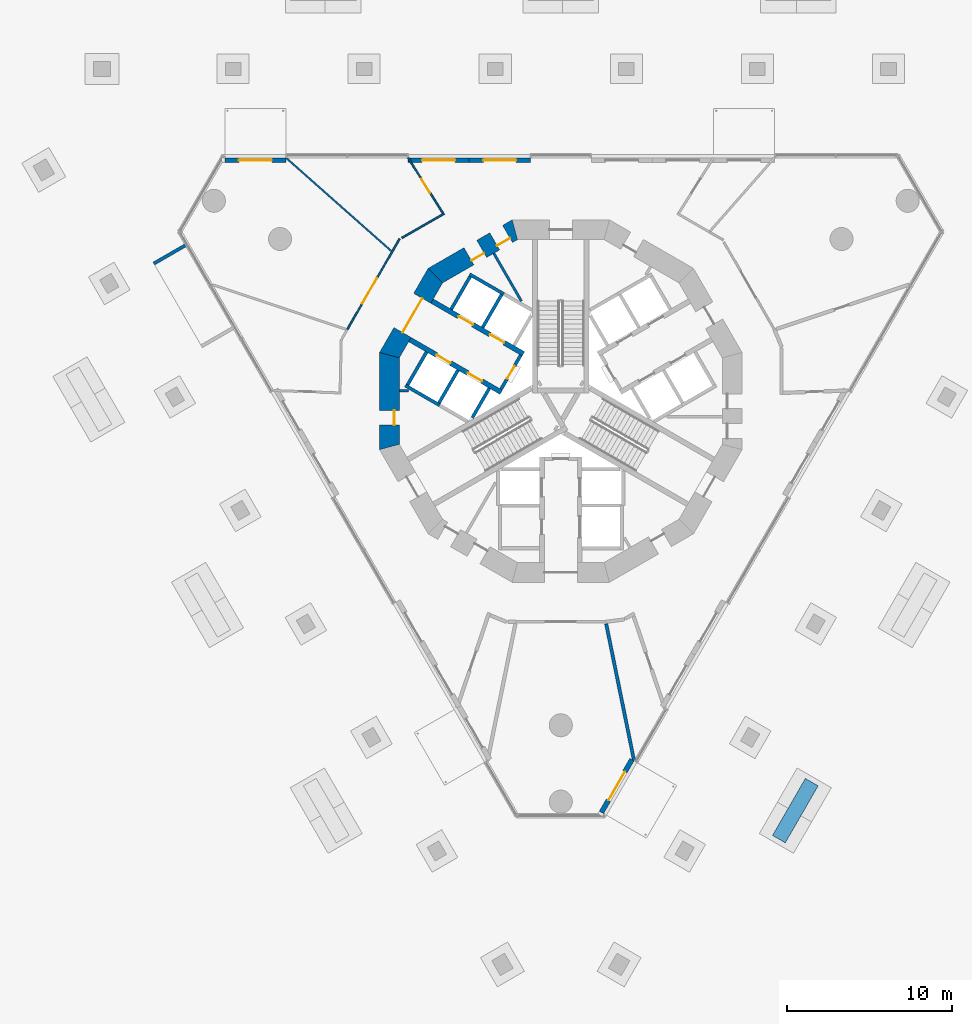
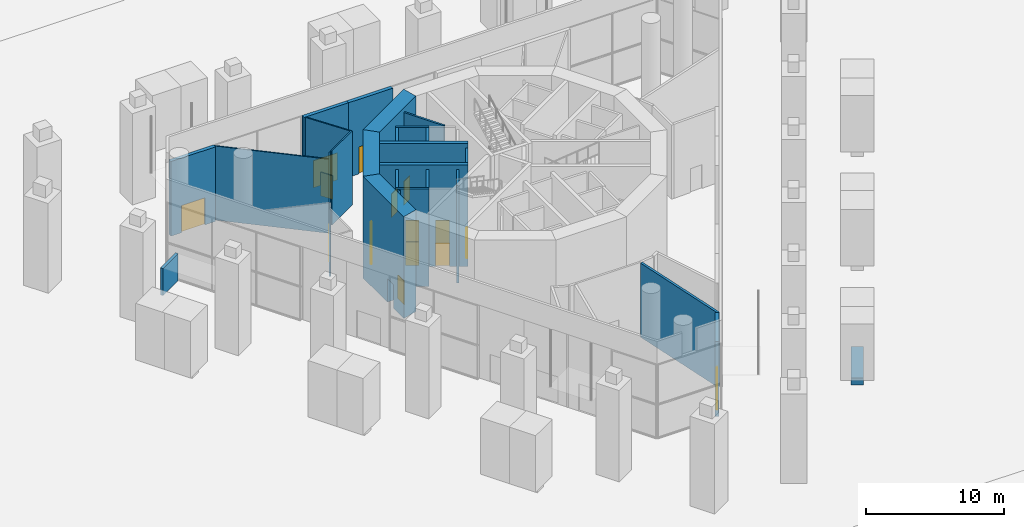
# One storey, part 7 of 26: 26 walls, 15 doors, 15 openings.
"""IFC4 building model written with IfcOpenShell, lengths in metres."""

from ifc_helpers import new_model, si_unit, direction, frame, frame_2d, origin, place, context, subcontext, project, spatial, polyline, rectangle, outline, extrude, material, layer, layer_set, type_object, element, fill, save


model = new_model("IFC4")

# Units and contexts
model_context = context("Model", 3, precision=1e-05, world=origin(), true_north=direction((0.0, 1.0)))
body_context = subcontext(model_context, "Body", "Model", "MODEL_VIEW")
ifc_project = project(units=[si_unit("LENGTHUNIT", "METRE"), si_unit("AREAUNIT", "SQUARE_METRE"), si_unit("VOLUMEUNIT", "CUBIC_METRE"), si_unit("PLANEANGLEUNIT", "RADIAN"), si_unit("MASSUNIT", "GRAM", prefix="KILO")], contexts=[model_context])

# Site, building, storey
site_placement = place(None, origin())
site = spatial("IfcSite", under=ifc_project, at=site_placement, CompositionType="ELEMENT")
building_placement = place(site_placement, origin())
building = spatial("IfcBuilding", under=site, at=building_placement, Name="Trine Commons Tower", CompositionType="ELEMENT")
storey_placement = place(building_placement, origin())
storey = spatial("IfcBuildingStorey", under=building, at=storey_placement, Name="L00", CompositionType="ELEMENT", Elevation=0.0)

# Walls
ifc_material_1 = material(Name="Plasterboard partition on steel studs", Category="steel")
ifc_layer_1 = layer(ifc_material_1, 0.14990234375)
ifc_layer_set_1 = layer_set([ifc_layer_1], Name="Plasterboard partition on steel studs")
wall_type_1 = type_object("IfcWallType", Name="Core room partition 150 mm, EI 60", PredefinedType="PARTITIONING", material=ifc_layer_set_1)
wall_1_placement = place(storey_placement, frame((70.18798828125, 63.14208984375, 0.0), z_axis=(0.0, 0.0, 1.0), x_axis=(1.0, 0.0, 0.0)))
element("IfcWall", 1, at=wall_1_placement, inside=storey, type_object=wall_type_1, Name="Core room partition L00", PredefinedType="PARTITIONING", context=body_context, shape_type="SweptSolid", body=[
    extrude(rectangle(XDim=0.571044921875, YDim=0.14990234375, at=frame_2d((0.28564453125, 0.0))), origin(), (0.0, 0.0, 1.0), 8.60009765625),
])
wall_2_placement = place(storey_placement, frame((75.928955078125, 71.47900390625, 0.0), z_axis=(0.0, 0.0, 1.0), x_axis=(0.499985139611, -0.866033983264, 0.0)))
element("IfcWall", 2, at=wall_2_placement, inside=storey, type_object=wall_type_1, Name="Core room partition L00", PredefinedType="PARTITIONING", context=body_context, shape_type="SweptSolid", body=[
    extrude(rectangle(XDim=3.35205078125, YDim=0.14990234375, at=frame_2d((1.676025390625, 0.0))), origin(), (0.0, 0.0, 1.0), 8.60009765625),
])
ifc_material_2 = material(Name="Perforated precast concrete C40/50", Category="concrete")
ifc_layer_2 = layer(ifc_material_2, 0.199951171875)
ifc_layer_set_2 = layer_set([ifc_layer_2], Name="Perforated precast concrete C40/50")
wall_type_2 = type_object("IfcWallType", Name="Cycle shelter screen wall 200", PredefinedType="SOLIDWALL", material=ifc_layer_set_2)
wall_3_placement = place(storey_placement, frame((57.179443359375, 71.95703125, 0.0), z_axis=(0.0, 0.0, 1.0), x_axis=(-0.86605622881, -0.499946605688, 0.0)))
element("IfcWall", 3, at=wall_3_placement, inside=storey, type_object=wall_type_2, Name="Cycle shelter 1 screen 2", PredefinedType="SOLIDWALL", context=body_context, shape_type="SweptSolid", body=[
    extrude(rectangle(XDim=2.199951171875, YDim=0.199951171875, at=frame_2d((1.10009765625, 0.0))), origin(), (0.0, 0.0, 1.0), 2.39990234375),
])

# Wall, opening, door
ifc_material_3 = material(Name="Stone-clad concrete C40/50", Category="masonry")
ifc_layer_3 = layer(ifc_material_3, 0.300048828125)
ifc_layer_set_3 = layer_set([ifc_layer_3], Name="Stone-clad concrete C40/50")
wall_type_3 = type_object("IfcWallType", Name="Entrance portal wall 300 mm, stone-clad concrete", PredefinedType="SOLIDWALL", material=ifc_layer_set_3)
wall_4_placement = place(storey_placement, frame((70.72216796875, 77.134521484375, 0.0), z_axis=(0.0, 0.0, 1.0), x_axis=(1.0, 0.0, 0.0)))
wall_4 = element("IfcWall", 4, at=wall_4_placement, inside=storey, type_object=wall_type_3, Name="Entrance portal X1", PredefinedType="SOLIDWALL", context=body_context, shape_type="SweptSolid", body=[
    extrude(rectangle(XDim=3.711181640625, YDim=0.300048828125, at=frame_2d((1.85546875, 0.0))), origin(), (0.0, 0.0, 1.0), 6.60009765625),
])
opening_1_placement = place(wall_4_placement, frame((0.855712890625, 0.0, 0.0)))
opening_1 = element("IfcOpeningElement", 5, at=opening_1_placement, cuts=wall_4, Name="Opening D-G0X1", PredefinedType="OPENING", context=body_context, shape_type="SweptSolid", body=[
    extrude(rectangle(XDim=2.0, YDim=2.39990234375, at=frame_2d((1.0, 1.199951171875))), frame((0.0, 0.159912109375, 0.0), z_axis=(0.0, -1.0, 0.0), x_axis=(1.0, 0.0, 0.0)), (0.0, 0.0, 1.0), 0.320068359375),
])
ifc_material_4 = material(Name="Painted timber", Category="wood")
door_type_1 = type_object("IfcDoorType", Name="Double swing door 2000x2400, not rated", OperationType="DOUBLE_DOOR_DOUBLE_SWING", PredefinedType="DOOR", material=ifc_material_4)
door_1_placement = place(opening_1_placement, origin())
door_1 = element("IfcDoor", 6, at=door_1_placement, inside=storey, type_object=door_type_1, Name="Door D-G0X1", OperationType="DOUBLE_DOOR_DOUBLE_SWING", OverallHeight=2.39990234375, OverallWidth=2.0, PredefinedType="DOOR", context=body_context, shape_type="SweptSolid", body=[
    extrude(rectangle(XDim=2.0, YDim=2.39990234375, at=frame_2d((1.0, 1.199951171875))), frame((0.0, 0.02490234375, 0.0), z_axis=(0.0, -1.0, 0.0), x_axis=(1.0, 0.0, 0.0)), (0.0, 0.0, 1.0), 0.050048828125),
])
fill(opening_1, door_1)

wall_5_placement = place(storey_placement, frame((74.433349609375, 77.134521484375, 0.0), z_axis=(0.0, 0.0, 1.0), x_axis=(1.0, 0.0, 0.0)))
wall_5 = element("IfcWall", 7, at=wall_5_placement, inside=storey, type_object=wall_type_3, Name="Entrance portal X2", PredefinedType="SOLIDWALL", context=body_context, shape_type="SweptSolid", body=[
    extrude(rectangle(XDim=3.711181640625, YDim=0.300048828125, at=frame_2d((1.85546875, 0.0))), origin(), (0.0, 0.0, 1.0), 6.60009765625),
])
opening_2_placement = place(wall_5_placement, frame((0.855712890625, 0.0, 0.0)))
opening_2 = element("IfcOpeningElement", 8, at=opening_2_placement, cuts=wall_5, Name="Opening D-G0X2", PredefinedType="OPENING", context=body_context, shape_type="SweptSolid", body=[
    extrude(rectangle(XDim=2.0, YDim=2.39990234375, at=frame_2d((1.0, 1.199951171875))), frame((0.0, 0.159912109375, 0.0), z_axis=(0.0, -1.0, 0.0), x_axis=(1.0, 0.0, 0.0)), (0.0, 0.0, 1.0), 0.320068359375),
])
door_2_placement = place(opening_2_placement, origin())
door_2 = element("IfcDoor", 9, at=door_2_placement, inside=storey, type_object=door_type_1, Name="Door D-G0X2", OperationType="DOUBLE_DOOR_DOUBLE_SWING", OverallHeight=2.39990234375, OverallWidth=2.0, PredefinedType="DOOR", context=body_context, shape_type="SweptSolid", body=[
    extrude(rectangle(XDim=2.0, YDim=2.39990234375, at=frame_2d((1.0, 1.199951171875))), frame((0.0, 0.02490234375, 0.0), z_axis=(0.0, -1.0, 0.0), x_axis=(1.0, 0.0, 0.0)), (0.0, 0.0, 1.0), 0.050048828125),
])
fill(opening_2, door_2)

wall_6_placement = place(storey_placement, frame((84.32373046875, 40.7197265625, 0.0), z_axis=(0.0, 0.0, 1.0), x_axis=(-0.499959725045, -0.866048655292, 0.0)))
wall_6 = element("IfcWall", 10, at=wall_6_placement, inside=storey, type_object=wall_type_3, Name="Entrance portal E2", PredefinedType="SOLIDWALL", context=body_context, shape_type="SweptSolid", body=[
    extrude(rectangle(XDim=3.711181640625, YDim=0.300048828125, at=frame_2d((1.85546875, 0.0))), origin(), (0.0, 0.0, 1.0), 6.60009765625),
])
opening_3_placement = place(wall_6_placement, frame((0.855712890625, 0.0, 0.0)))
opening_3 = element("IfcOpeningElement", 11, at=opening_3_placement, cuts=wall_6, Name="Opening D-G0E2", PredefinedType="OPENING", context=body_context, shape_type="SweptSolid", body=[
    extrude(rectangle(XDim=2.0, YDim=2.39990234375, at=frame_2d((1.0, 1.199951171875))), frame((0.0, 0.159912109375, 0.0), z_axis=(0.0, -1.0, 0.0), x_axis=(1.0, 0.0, 0.0)), (0.0, 0.0, 1.0), 0.320068359375),
])
door_3_placement = place(opening_3_placement, origin())
door_3 = element("IfcDoor", 12, at=door_3_placement, inside=storey, type_object=door_type_1, Name="Door D-G0E2", OperationType="DOUBLE_DOOR_DOUBLE_SWING", OverallHeight=2.39990234375, OverallWidth=2.0, PredefinedType="DOOR", context=body_context, shape_type="SweptSolid", body=[
    extrude(rectangle(XDim=2.0, YDim=2.39990234375, at=frame_2d((1.0, 1.199951171875))), frame((0.0, 0.02490234375, 0.0), z_axis=(0.0, -1.0, 0.0), x_axis=(1.0, 0.0, 0.0)), (0.0, 0.0, 1.0), 0.050048828125),
])
fill(opening_3, door_3)

wall_7_placement = place(storey_placement, frame((59.58837890625, 77.134521484375, 0.0), z_axis=(0.0, 0.0, 1.0), x_axis=(1.0, 0.0, 0.0)))
wall_7 = element("IfcWall", 13, at=wall_7_placement, inside=storey, type_object=wall_type_3, Name="Entrance portal E4", PredefinedType="SOLIDWALL", context=body_context, shape_type="SweptSolid", body=[
    extrude(rectangle(XDim=3.71142578125, YDim=0.300048828125, at=frame_2d((1.855712890625, 0.0))), origin(), (0.0, 0.0, 1.0), 6.60009765625),
])
opening_4_placement = place(wall_7_placement, frame((0.855712890625, 0.0, 0.0)))
opening_4 = element("IfcOpeningElement", 14, at=opening_4_placement, cuts=wall_7, Name="Opening D-G0E4", PredefinedType="OPENING", context=body_context, shape_type="SweptSolid", body=[
    extrude(rectangle(XDim=2.0, YDim=2.39990234375, at=frame_2d((1.0, 1.199951171875))), frame((0.0, 0.159912109375, 0.0), z_axis=(0.0, -1.0, 0.0), x_axis=(1.0, 0.0, 0.0)), (0.0, 0.0, 1.0), 0.320068359375),
])
door_4_placement = place(opening_4_placement, origin())
door_4 = element("IfcDoor", 15, at=door_4_placement, inside=storey, type_object=door_type_1, Name="Door D-G0E4", OperationType="DOUBLE_DOOR_DOUBLE_SWING", OverallHeight=2.39990234375, OverallWidth=2.0, PredefinedType="DOOR", context=body_context, shape_type="SweptSolid", body=[
    extrude(rectangle(XDim=2.0, YDim=2.39990234375, at=frame_2d((1.0, 1.199951171875))), frame((0.0, 0.02490234375, 0.0), z_axis=(0.0, -1.0, 0.0), x_axis=(1.0, 0.0, 0.0)), (0.0, 0.0, 1.0), 0.050048828125),
])
fill(opening_4, door_4)

# Wall
ifc_material_5 = material(Name="Plasterboard on steel stud", Category="steel")
ifc_layer_4 = layer(ifc_material_5, 0.199951171875)
ifc_layer_set_4 = layer_set([ifc_layer_4], Name="Plasterboard on steel stud")
wall_type_4 = type_object("IfcWallType", Name="Fire wall 200 mm, EI 120", PredefinedType="PARTITIONING", material=ifc_layer_set_4)
wall_8_placement = place(storey_placement, frame((82.75732421875, 48.968505859375, 0.0), z_axis=(0.0, 0.0, 1.0), x_axis=(0.199685222103, -0.979860098215, 0.0)))
element("IfcWall", 16, at=wall_8_placement, inside=storey, type_object=wall_type_4, Name="Partition G0015", PredefinedType="PARTITIONING", context=body_context, shape_type="SweptSolid", body=[
    extrude(rectangle(XDim=8.494873046875, YDim=0.199951171875, at=frame_2d((4.24755859375, 0.0))), origin(), (0.0, 0.0, 1.0), 6.550048828125),
])

# Wall, opening, door
ifc_material_6 = material(Name="Fire-rated gypsum shaft wall system")
ifc_layer_5 = layer(ifc_material_6, 0.199951171875)
ifc_layer_set_5 = layer_set([ifc_layer_5], Name="Fire-rated gypsum shaft wall system")
wall_type_5 = type_object("IfcWallType", Name="Lobby end wall 200 mm, EI 120", PredefinedType="PARTITIONING", material=ifc_layer_set_5)
wall_9_placement = place(storey_placement, frame((77.569091796875, 65.2890625, 0.0), z_axis=(0.0, 0.0, 1.0), x_axis=(-0.50012165622, -0.865955154139, 0.0)))
wall_9 = element("IfcWall", 17, at=wall_9_placement, inside=storey, type_object=wall_type_5, Name="Lobby end wall L00", PredefinedType="PARTITIONING", context=body_context, shape_type="SweptSolid", body=[
    extrude(rectangle(XDim=2.39990234375, YDim=0.199951171875, at=frame_2d((1.199951171875, 0.0))), origin(), (0.0, 0.0, 1.0), 8.60009765625),
])
opening_5_placement = place(wall_9_placement, frame((0.749755859375, 0.0, 0.0)))
opening_5 = element("IfcOpeningElement", 18, at=opening_5_placement, cuts=wall_9, Name="Opening K03.07", PredefinedType="OPENING", context=body_context, shape_type="SweptSolid", body=[
    extrude(rectangle(XDim=0.89990234375, YDim=2.10009765625, at=frame_2d((0.449951171875, 1.050048828125))), frame((0.0, 0.10986328125, 0.0), z_axis=(0.0, -1.0, 0.0), x_axis=(1.0, 0.0, 0.0)), (0.0, 0.0, 1.0), 0.219970703125),
])
ifc_material_7 = material(Name="Steel door leaf, fire-rated", Category="steel")
door_type_2 = type_object("IfcDoorType", Name="Riser access door, single leaf 900 x 2100, FD60", OperationType="SINGLE_SWING_LEFT", PredefinedType="DOOR", material=ifc_material_7)
door_5_placement = place(opening_5_placement, frame((0.89990234375, 0.0, 0.0), z_axis=(0.0, 0.0, 1.0), x_axis=(-1.0, 0.0, 0.0)))
door_5 = element("IfcDoor", 19, at=door_5_placement, inside=storey, type_object=door_type_2, Name="Riser door, Mechanical riser L00", OperationType="SINGLE_SWING_RIGHT", OverallHeight=2.10009765625, OverallWidth=0.89990234375, PredefinedType="DOOR", context=body_context, shape_type="SweptSolid", body=[
    extrude(rectangle(XDim=0.89990234375, YDim=2.10009765625, at=frame_2d((0.449951171875, 1.050048828125))), frame((0.0, 0.02490234375, 0.0), z_axis=(0.0, -1.0, 0.0), x_axis=(1.0, 0.0, 0.0)), (0.0, 0.0, 1.0), 0.050048828125),
])
fill(opening_5, door_5)

# Wall
ifc_layer_6 = layer(ifc_material_5, 0.10009765625)
ifc_layer_set_6 = layer_set([ifc_layer_6], Name="Plasterboard on steel stud")
wall_type_6 = type_object("IfcWallType", Name="Partition wall 100 mm stud, not rated", PredefinedType="PARTITIONING", material=ifc_layer_set_6)
wall_10_placement = place(storey_placement, frame((63.299560546875, 77.28466796875, 0.0), z_axis=(0.0, 0.0, 1.0), x_axis=(0.748745973435, -0.662857048891, 0.0)))
element("IfcWall", 20, at=wall_10_placement, inside=storey, type_object=wall_type_6, Name="Partition G0003", PredefinedType="PARTITIONING", context=body_context, shape_type="SweptSolid", body=[
    extrude(rectangle(XDim=8.555908203125, YDim=0.10009765625, at=frame_2d((4.27783203125, 0.0))), origin(), (0.0, 0.0, 1.0), 6.550048828125),
])

# Wall, opening, door
wall_11_placement = place(storey_placement, frame((70.20703125, 72.361328125, 0.0), z_axis=(0.0, 0.0, 1.0), x_axis=(-0.500009674092, -0.866019818373, 0.0)))
wall_11 = element("IfcWall", 21, at=wall_11_placement, inside=storey, type_object=wall_type_6, Name="Partition G0006", PredefinedType="PARTITIONING", context=body_context, shape_type="SweptSolid", body=[
    extrude(rectangle(XDim=6.376708984375, YDim=0.10009765625, at=frame_2d((3.1884765625, 0.0))), origin(), (0.0, 0.0, 1.0), 6.550048828125),
])
opening_6_placement = place(wall_11_placement, frame((2.74365234375, 0.0, 0.0)))
opening_6 = element("IfcOpeningElement", 22, at=opening_6_placement, cuts=wall_11, Name="Opening D-G002", PredefinedType="OPENING", context=body_context, shape_type="SweptSolid", body=[
    extrude(rectangle(XDim=1.800048828125, YDim=2.10009765625, at=frame_2d((0.89990234375, 1.050048828125))), frame((0.0, 0.06005859375, 0.0), z_axis=(0.0, -1.0, 0.0), x_axis=(1.0, 0.0, 0.0)), (0.0, 0.0, 1.0), 0.1201171875),
])
door_type_3 = type_object("IfcDoorType", Name="Double swing door 1800x2100, not rated", OperationType="DOUBLE_DOOR_DOUBLE_SWING", PredefinedType="DOOR", material=ifc_material_4)
door_6_placement = place(opening_6_placement, origin())
door_6 = element("IfcDoor", 23, at=door_6_placement, inside=storey, type_object=door_type_3, Name="Door D-G002", OperationType="DOUBLE_DOOR_DOUBLE_SWING", OverallHeight=2.10009765625, OverallWidth=1.800048828125, PredefinedType="DOOR", context=body_context, shape_type="SweptSolid", body=[
    extrude(rectangle(XDim=1.800048828125, YDim=2.10009765625, at=frame_2d((0.89990234375, 1.050048828125))), frame((0.0, 0.02490234375, 0.0), z_axis=(0.0, -1.0, 0.0), x_axis=(1.0, 0.0, 0.0)), (0.0, 0.0, 1.0), 0.050048828125),
])
fill(opening_6, door_6)

# Wall
wall_12_placement = place(storey_placement, frame((70.34375, 72.4111328125, 0.0), z_axis=(0.0, 0.0, 1.0), x_axis=(0.865987986082, 0.500064803762, 0.0)))
element("IfcWall", 24, at=wall_12_placement, inside=storey, type_object=wall_type_6, Name="Partition G0007", PredefinedType="PARTITIONING", context=body_context, shape_type="SweptSolid", body=[
    extrude(rectangle(XDim=2.962890625, YDim=0.10009765625, at=frame_2d((1.4814453125, 0.0))), origin(), (0.0, 0.0, 1.0), 6.550048828125),
])

# Wall, opening, door
wall_13_placement = place(storey_placement, frame((72.8388671875, 73.91162109375, 0.0), z_axis=(0.0, 0.0, 1.0), x_axis=(-0.531541097534, 0.847032503291, 0.0)))
wall_13 = element("IfcWall", 25, at=wall_13_placement, inside=storey, type_object=wall_type_6, Name="Partition G0008", PredefinedType="PARTITIONING", context=body_context, shape_type="SweptSolid", body=[
    extrude(rectangle(XDim=3.982177734375, YDim=0.10009765625, at=frame_2d((1.9912109375, 0.0))), origin(), (0.0, 0.0, 1.0), 6.550048828125),
])
opening_7_placement = place(wall_13_placement, frame((1.465087890625, 0.0, 0.0)))
opening_7 = element("IfcOpeningElement", 26, at=opening_7_placement, cuts=wall_13, Name="Opening D-G003", PredefinedType="OPENING", context=body_context, shape_type="SweptSolid", body=[
    extrude(rectangle(XDim=1.0, YDim=2.10009765625, at=frame_2d((0.5, 1.050048828125))), frame((0.0, 0.06005859375, 0.0), z_axis=(0.0, -1.0, 0.0), x_axis=(1.0, 0.0, 0.0)), (0.0, 0.0, 1.0), 0.1201171875),
])
door_type_4 = type_object("IfcDoorType", Name="Single swing door 1000x2100, not rated", OperationType="SINGLE_SWING_LEFT", PredefinedType="DOOR", material=ifc_material_4)
door_7_placement = place(opening_7_placement, origin())
door_7 = element("IfcDoor", 27, at=door_7_placement, inside=storey, type_object=door_type_4, Name="Door D-G003", OperationType="SINGLE_SWING_LEFT", OverallHeight=2.10009765625, OverallWidth=1.0, PredefinedType="DOOR", context=body_context, shape_type="SweptSolid", body=[
    extrude(rectangle(XDim=1.0, YDim=2.10009765625, at=frame_2d((0.5, 1.050048828125))), frame((0.0, 0.02490234375, 0.0), z_axis=(0.0, -1.0, 0.0), x_axis=(1.0, 0.0, 0.0)), (0.0, 0.0, 1.0), 0.050048828125),
])
fill(opening_7, door_7)

# Wall
ifc_material_8 = material(Name="Planter trough, precast concrete C40/50", Category="concrete")
ifc_layer_7 = layer(ifc_material_8, 0.89990234375)
ifc_layer_set_7 = layer_set([ifc_layer_7], Name="Planter trough, precast concrete C40/50")
wall_type_7 = type_object("IfcWallType", Name="Planter trough 900x600", PredefinedType="PARAPET", material=ifc_layer_set_7)
wall_14_placement = place(storey_placement, frame((95.251220703125, 39.3466796875, 0.0), z_axis=(0.0, 0.0, 1.0), x_axis=(-0.49999894854, -0.866026010844, 0.0)))
element("IfcWall", 28, at=wall_14_placement, inside=storey, type_object=wall_type_7, Name="Plaza planter 6", PredefinedType="PARAPET", context=body_context, shape_type="SweptSolid", body=[
    extrude(rectangle(XDim=4.0, YDim=0.89990234375, at=frame_2d((2.0, 0.0))), origin(), (0.0, 0.0, 1.0), 0.60009765625),
])

# Wall, openings, doors
ifc_material_9 = material(Name="Concrete C80/95", Category="concrete")
ifc_layer_8 = layer(ifc_material_9, 1.199951171875)
ifc_layer_set_8 = layer_set([ifc_layer_8], Name="Concrete C80/95")
wall_type_8 = type_object("IfcWallType", Name="RC shear wall 1200 mm, C80/95", PredefinedType="SHEAR", material=ifc_layer_set_8)
wall_15_placement = place(storey_placement, frame((77.349609375, 72.991943359375, 0.0), z_axis=(0.0, 0.0, 1.0), x_axis=(-0.866037463336, -0.499979111662, 0.0)))
wall_15 = element("IfcWall", 29, at=wall_15_placement, inside=storey, type_object=wall_type_8, Name="Core wall CWA-05 L00", PredefinedType="SHEAR", context=body_context, shape_type="SweptSolid", body=[
    extrude(outline(polyline([(0.0, -0.60009765625), (5.901123046875, -0.60009765625), (5.57958984375, 0.60009765625), (0.321533203125, 0.60009765625), (0.0, -0.60009765625)])), origin(), (0.0, 0.0, 1.0), 9.0),
])
opening_8_placement = place(wall_15_placement, frame((0.6748046875, 0.0, 0.0)))
opening_8 = element("IfcOpeningElement", 30, at=opening_8_placement, cuts=wall_15, Name="Opening K03.12", PredefinedType="OPENING", context=body_context, shape_type="SweptSolid", body=[
    extrude(rectangle(XDim=0.89990234375, YDim=2.10009765625, at=frame_2d((0.449951171875, 1.050048828125))), frame((0.0, 0.60986328125, 0.0), z_axis=(0.0, -1.0, 0.0), x_axis=(1.0, 0.0, 0.0)), (0.0, 0.0, 1.0), 1.219970703125),
])
opening_9_placement = place(wall_15_placement, frame((2.48681640625, 0.0, 0.0)))
opening_9 = element("IfcOpeningElement", 31, at=opening_9_placement, cuts=wall_15, Name="Opening K03.13", PredefinedType="OPENING", context=body_context, shape_type="SweptSolid", body=[
    extrude(rectangle(XDim=0.89990234375, YDim=2.10009765625, at=frame_2d((0.449951171875, 1.050048828125))), frame((0.0, 0.60986328125, 0.0), z_axis=(0.0, -1.0, 0.0), x_axis=(1.0, 0.0, 0.0)), (0.0, 0.0, 1.0), 1.219970703125),
])
door_type_5 = type_object("IfcDoorType", Name="Core room door, single leaf 900 x 2100, FD30S", OperationType="SINGLE_SWING_LEFT", PredefinedType="DOOR", material=ifc_material_7)
door_8_placement = place(opening_8_placement, origin())
door_8 = element("IfcDoor", 32, at=door_8_placement, inside=storey, type_object=door_type_5, Name="Door to Pantry L00", OperationType="SINGLE_SWING_LEFT", OverallHeight=2.10009765625, OverallWidth=0.89990234375, PredefinedType="DOOR", context=body_context, shape_type="SweptSolid", body=[
    extrude(rectangle(XDim=0.89990234375, YDim=2.10009765625, at=frame_2d((0.449951171875, 1.050048828125))), frame((0.0, 0.3251953125, 0.0), z_axis=(0.0, -1.0, 0.0), x_axis=(1.0, 0.0, 0.0)), (0.0, 0.0, 1.0), 0.050048828125),
])
fill(opening_8, door_8)
door_9_placement = place(opening_9_placement, origin())
door_9 = element("IfcDoor", 33, at=door_9_placement, inside=storey, type_object=door_type_5, Name="Door to Comms room L00", OperationType="SINGLE_SWING_LEFT", OverallHeight=2.10009765625, OverallWidth=0.89990234375, PredefinedType="DOOR", context=body_context, shape_type="SweptSolid", body=[
    extrude(rectangle(XDim=0.89990234375, YDim=2.10009765625, at=frame_2d((0.449951171875, 1.050048828125))), frame((0.0, 0.3251953125, 0.0), z_axis=(0.0, -1.0, 0.0), x_axis=(1.0, 0.0, 0.0)), (0.0, 0.0, 1.0), 0.050048828125),
])
fill(opening_9, door_9)

# Wall, opening, door
wall_16_placement = place(storey_placement, frame((72.45849609375, 70.260986328125, 0.0), z_axis=(0.0, 0.0, 1.0), x_axis=(-0.499979111662, -0.866037463336, 0.0)))
wall_16 = element("IfcWall", 34, at=wall_16_placement, inside=storey, type_object=wall_type_8, Name="Core wall CWA-06 L00", PredefinedType="SHEAR", context=body_context, shape_type="SweptSolid", body=[
    extrude(outline(polyline([(0.0, -0.60009765625), (5.901123046875, -0.60009765625), (5.57958984375, 0.60009765625), (0.321533203125, 0.60009765625), (0.0, -0.60009765625)])), origin(), (0.0, 0.0, 1.0), 9.0),
])
opening_10_placement = place(wall_16_placement, frame((1.75048828125, 0.0, 0.0)))
opening_10 = element("IfcOpeningElement", 35, at=opening_10_placement, cuts=wall_16, Name="Opening K03.06", PredefinedType="OPENING", context=body_context, shape_type="SweptSolid", body=[
    extrude(rectangle(XDim=2.39990234375, YDim=2.10009765625, at=frame_2d((1.199951171875, 1.050048828125))), frame((0.0, 0.60986328125, 0.0), z_axis=(0.0, -1.0, 0.0), x_axis=(1.0, 0.0, 0.0)), (0.0, 0.0, 1.0), 1.219970703125),
])
ifc_material_10 = material(Name="Steel door leaves, fire-rated", Category="steel")
door_type_6 = type_object("IfcDoorType", Name="Lobby door, double leaf 2400 x 2100, FD60", OperationType="DOUBLE_DOOR_SINGLE_SWING", PredefinedType="DOOR", material=ifc_material_10)
door_10_placement = place(opening_10_placement, origin())
door_10 = element("IfcDoor", 36, at=door_10_placement, inside=storey, type_object=door_type_6, Name="Lobby door, Passenger lift lobby B L00", OperationType="DOUBLE_DOOR_SINGLE_SWING", OverallHeight=2.10009765625, OverallWidth=2.39990234375, PredefinedType="DOOR", context=body_context, shape_type="SweptSolid", body=[
    extrude(rectangle(XDim=2.39990234375, YDim=2.10009765625, at=frame_2d((1.199951171875, 1.050048828125))), frame((0.0, 0.02490234375, 0.0), z_axis=(0.0, -1.0, 0.0), x_axis=(1.0, 0.0, 0.0)), (0.0, 0.0, 1.0), 0.050048828125),
])
fill(opening_10, door_10)

wall_17_placement = place(storey_placement, frame((69.58837890625, 65.450439453125, 0.0), z_axis=(0.0, 0.0, 1.0), x_axis=(0.0, -1.0, 0.0)))
wall_17 = element("IfcWall", 37, at=wall_17_placement, inside=storey, type_object=wall_type_8, Name="Core wall CWA-07 L00", PredefinedType="SHEAR", context=body_context, shape_type="SweptSolid", body=[
    extrude(outline(polyline([(0.0, -0.60009765625), (5.90087890625, -0.60009765625), (5.57958984375, 0.60009765625), (0.321533203125, 0.60009765625), (0.0, -0.60009765625)])), origin(), (0.0, 0.0, 1.0), 9.0),
])
opening_11_placement = place(wall_17_placement, frame((3.508544921875, 0.0, 0.0)))
opening_11 = element("IfcOpeningElement", 38, at=opening_11_placement, cuts=wall_17, Name="Opening K03.14", PredefinedType="OPENING", context=body_context, shape_type="SweptSolid", body=[
    extrude(rectangle(XDim=0.89990234375, YDim=2.10009765625, at=frame_2d((0.449951171875, 1.050048828125))), frame((0.0, 0.60986328125, 0.0), z_axis=(0.0, -1.0, 0.0), x_axis=(1.0, 0.0, 0.0)), (0.0, 0.0, 1.0), 1.219970703125),
])
door_11_placement = place(opening_11_placement, origin())
door_11 = element("IfcDoor", 39, at=door_11_placement, inside=storey, type_object=door_type_5, Name="Door to Print room L00", OperationType="SINGLE_SWING_RIGHT", OverallHeight=2.10009765625, OverallWidth=0.89990234375, PredefinedType="DOOR", context=body_context, shape_type="SweptSolid", body=[
    extrude(rectangle(XDim=0.89990234375, YDim=2.10009765625, at=frame_2d((0.449951171875, 1.050048828125))), frame((0.0, 0.3251953125, 0.0), z_axis=(0.0, -1.0, 0.0), x_axis=(1.0, 0.0, 0.0)), (0.0, 0.0, 1.0), 0.050048828125),
])
fill(opening_11, door_11)

# Wall, openings, doors
ifc_layer_9 = layer(ifc_material_9, 0.300048828125)
ifc_layer_set_9 = layer_set([ifc_layer_9], Name="Concrete C80/95")
wall_type_9 = type_object("IfcWallType", Name="RC shear wall 300 mm, C80/95", PredefinedType="SHEAR", material=ifc_layer_set_9)
wall_18_placement = place(storey_placement, frame((76.381103515625, 63.031005859375, 0.0), z_axis=(0.0, 0.0, 1.0), x_axis=(-0.866032150378, 0.499988314375, 0.0)))
wall_18 = element("IfcWall", 40, at=wall_18_placement, inside=storey, type_object=wall_type_9, Name="Core cross wall SWA-01 L00", PredefinedType="SHEAR", context=body_context, shape_type="SweptSolid", body=[
    extrude(rectangle(XDim=6.412353515625, YDim=0.300048828125, at=frame_2d((3.2060546875, 0.0))), origin(), (0.0, 0.0, 1.0), 9.0),
])
opening_12_placement = place(wall_18_placement, frame((3.55029296875, 0.0, 0.0)))
opening_12 = element("IfcOpeningElement", 41, at=opening_12_placement, cuts=wall_18, Name="Opening LD3", PredefinedType="OPENING", context=body_context, shape_type="SweptSolid", body=[
    extrude(rectangle(XDim=1.0, YDim=2.10009765625, at=frame_2d((0.5, 1.050048828125))), frame((0.0, 0.159912109375, 0.0), z_axis=(0.0, -1.0, 0.0), x_axis=(1.0, 0.0, 0.0)), (0.0, 0.0, 1.0), 0.320068359375),
])
opening_13_placement = place(wall_18_placement, frame((1.350341796875, 0.0, 0.0)))
opening_13 = element("IfcOpeningElement", 42, at=opening_13_placement, cuts=wall_18, Name="Opening LD7", PredefinedType="OPENING", context=body_context, shape_type="SweptSolid", body=[
    extrude(rectangle(XDim=1.0, YDim=2.10009765625, at=frame_2d((0.5, 1.050048828125))), frame((0.0, 0.159912109375, 0.0), z_axis=(0.0, -1.0, 0.0), x_axis=(1.0, 0.0, 0.0)), (0.0, 0.0, 1.0), 0.320068359375),
])
ifc_material_11 = material(Name="Stainless steel sliding door leaves", Category="steel")
door_type_7 = type_object("IfcDoorType", Name="Lift landing door, centre-opening sliding 1000 x 2100, FD90", OperationType="DOUBLE_DOOR_SLIDING", PredefinedType="DOOR", material=ifc_material_11)
door_12_placement = place(opening_12_placement, origin())
door_12 = element("IfcDoor", 43, at=door_12_placement, inside=storey, type_object=door_type_7, Name="Lift landing door LR3 L00", OperationType="DOUBLE_DOOR_SLIDING", OverallHeight=2.10009765625, OverallWidth=1.0, PredefinedType="DOOR", context=body_context, shape_type="SweptSolid", body=[
    extrude(rectangle(XDim=1.0, YDim=2.10009765625, at=frame_2d((0.5, 1.050048828125))), frame((0.0, 0.02490234375, 0.0), z_axis=(0.0, -1.0, 0.0), x_axis=(1.0, 0.0, 0.0)), (0.0, 0.0, 1.0), 0.050048828125),
])
fill(opening_12, door_12)
door_13_placement = place(opening_13_placement, origin())
door_13 = element("IfcDoor", 44, at=door_13_placement, inside=storey, type_object=door_type_7, Name="Lift landing door HR3 L00", OperationType="DOUBLE_DOOR_SLIDING", OverallHeight=2.10009765625, OverallWidth=1.0, PredefinedType="DOOR", context=body_context, shape_type="SweptSolid", body=[
    extrude(rectangle(XDim=1.0, YDim=2.10009765625, at=frame_2d((0.5, 1.050048828125))), frame((0.0, 0.02490234375, 0.0), z_axis=(0.0, -1.0, 0.0), x_axis=(1.0, 0.0, 0.0)), (0.0, 0.0, 1.0), 0.050048828125),
])
fill(opening_13, door_13)

wall_19_placement = place(storey_placement, frame((77.73095703125, 65.368896484375, 0.0), z_axis=(0.0, 0.0, 1.0), x_axis=(-0.866022631842, 0.500004801114, 0.0)))
wall_19 = element("IfcWall", 45, at=wall_19_placement, inside=storey, type_object=wall_type_9, Name="Core cross wall SWA-02 L00", PredefinedType="SHEAR", context=body_context, shape_type="SweptSolid", body=[
    extrude(rectangle(XDim=6.412109375, YDim=0.300048828125, at=frame_2d((3.2060546875, 0.0))), origin(), (0.0, 0.0, 1.0), 9.0),
])
opening_14_placement = place(wall_19_placement, frame((3.55029296875, 0.0, 0.0)))
opening_14 = element("IfcOpeningElement", 46, at=opening_14_placement, cuts=wall_19, Name="Opening LD4", PredefinedType="OPENING", context=body_context, shape_type="SweptSolid", body=[
    extrude(rectangle(XDim=1.0, YDim=2.10009765625, at=frame_2d((0.5, 1.050048828125))), frame((0.0, 0.159912109375, 0.0), z_axis=(0.0, -1.0, 0.0), x_axis=(1.0, 0.0, 0.0)), (0.0, 0.0, 1.0), 0.320068359375),
])
opening_15_placement = place(wall_19_placement, frame((1.3505859375, 0.0, 0.0)))
opening_15 = element("IfcOpeningElement", 47, at=opening_15_placement, cuts=wall_19, Name="Opening LD8", PredefinedType="OPENING", context=body_context, shape_type="SweptSolid", body=[
    extrude(rectangle(XDim=1.0, YDim=2.10009765625, at=frame_2d((0.5, 1.050048828125))), frame((0.0, 0.159912109375, 0.0), z_axis=(0.0, -1.0, 0.0), x_axis=(1.0, 0.0, 0.0)), (0.0, 0.0, 1.0), 0.320068359375),
])
door_14_placement = place(opening_14_placement, origin())
door_14 = element("IfcDoor", 48, at=door_14_placement, inside=storey, type_object=door_type_7, Name="Lift landing door LR4 L00", OperationType="DOUBLE_DOOR_SLIDING", OverallHeight=2.10009765625, OverallWidth=1.0, PredefinedType="DOOR", context=body_context, shape_type="SweptSolid", body=[
    extrude(rectangle(XDim=1.0, YDim=2.10009765625, at=frame_2d((0.5, 1.050048828125))), frame((0.0, 0.02490234375, 0.0), z_axis=(0.0, -1.0, 0.0), x_axis=(1.0, 0.0, 0.0)), (0.0, 0.0, 1.0), 0.050048828125),
])
fill(opening_14, door_14)
door_15_placement = place(opening_15_placement, origin())
door_15 = element("IfcDoor", 49, at=door_15_placement, inside=storey, type_object=door_type_7, Name="Lift landing door HR4 L00", OperationType="DOUBLE_DOOR_SLIDING", OverallHeight=2.10009765625, OverallWidth=1.0, PredefinedType="DOOR", context=body_context, shape_type="SweptSolid", body=[
    extrude(rectangle(XDim=1.0, YDim=2.10009765625, at=frame_2d((0.5, 1.050048828125))), frame((0.0, 0.02490234375, 0.0), z_axis=(0.0, -1.0, 0.0), x_axis=(1.0, 0.0, 0.0)), (0.0, 0.0, 1.0), 0.050048828125),
])
fill(opening_15, door_15)

# Walls
ifc_layer_10 = layer(ifc_material_6, 0.199951171875)
ifc_layer_set_10 = layer_set([ifc_layer_10], Name="Fire-rated gypsum shaft wall system")
wall_type_10 = type_object("IfcWallType", Name="Shaft wall 200 mm, EI 120", PredefinedType="PARTITIONING", material=ifc_layer_set_10)
wall_20_placement = place(storey_placement, frame((71.844970703125, 65.47607421875, 0.0), z_axis=(0.0, 0.0, 1.0), x_axis=(-0.500136062276, -0.86594683394, 0.0)))
element("IfcWall", 50, at=wall_20_placement, inside=storey, type_object=wall_type_10, Name="Shaft wall L00", PredefinedType="PARTITIONING", context=body_context, shape_type="SweptSolid", body=[
    extrude(rectangle(XDim=2.299072265625, YDim=0.199951171875, at=frame_2d((1.1494140625, 0.0))), origin(), (0.0, 0.0, 1.0), 8.60009765625),
])
wall_21_placement = place(storey_placement, frame((72.637939453125, 62.248046875, 0.0), z_axis=(0.0, 0.0, 1.0), x_axis=(-0.866177122335, 0.499737123639, 0.0)))
element("IfcWall", 51, at=wall_21_placement, inside=storey, type_object=wall_type_10, Name="Shaft wall L00", PredefinedType="PARTITIONING", context=body_context, shape_type="SweptSolid", body=[
    extrude(rectangle(XDim=2.401123046875, YDim=0.199951171875, at=frame_2d((1.20068359375, 0.0))), origin(), (0.0, 0.0, 1.0), 8.60009765625),
])
wall_22_placement = place(storey_placement, frame((73.344970703125, 68.073974609375, 0.0), z_axis=(0.0, 0.0, 1.0), x_axis=(0.500215680983, 0.865900844496, 0.0)))
element("IfcWall", 52, at=wall_22_placement, inside=storey, type_object=wall_type_10, Name="Shaft wall L00", PredefinedType="PARTITIONING", context=body_context, shape_type="SweptSolid", body=[
    extrude(rectangle(XDim=2.29931640625, YDim=0.199951171875, at=frame_2d((1.149658203125, 0.0))), origin(), (0.0, 0.0, 1.0), 8.60009765625),
])
for number, where, z_axis, x_axis, name in (
    (53, (73.7509765625, 64.3759765625, 0.0), (0.0, 0.0, 1.0), (-0.500136062276, -0.86594683394, 0.0), "Shaft wall L00"),
    (54, (75.2509765625, 66.97412109375, 0.0), (0.0, 0.0, 1.0), (0.500136062276, 0.86594683394, 0.0), "Shaft wall L00"),
):
    element("IfcWall", number, at=place(storey_placement, frame(where, z_axis=z_axis, x_axis=x_axis)), inside=storey, type_object=wall_type_10, Name=name, PredefinedType="PARTITIONING", context=body_context, shape_type="SweptSolid", body=[
        extrude(rectangle(XDim=2.299072265625, YDim=0.199951171875, at=frame_2d((1.1494140625, 0.0))), origin(), (0.0, 0.0, 1.0), 8.60009765625),
    ])
wall_23_placement = place(storey_placement, frame((75.656005859375, 63.27587890625, 0.0), z_axis=(0.0, 0.0, 1.0), x_axis=(-0.500271688072, -0.86586848777, 0.0)))
element("IfcWall", 55, at=wall_23_placement, inside=storey, type_object=wall_type_10, Name="Shaft wall L00", PredefinedType="PARTITIONING", context=body_context, shape_type="SweptSolid", body=[
    extrude(rectangle(XDim=2.064697265625, YDim=0.199951171875, at=frame_2d((1.0322265625, 0.0))), origin(), (0.0, 0.0, 1.0), 8.60009765625),
])
wall_24_placement = place(storey_placement, frame((76.5380859375, 69.001953125, 0.0), z_axis=(0.0, 0.0, 1.0), x_axis=(-0.866202511239, 0.499693115345, 0.0)))
element("IfcWall", 56, at=wall_24_placement, inside=storey, type_object=wall_type_10, Name="Shaft wall L00", PredefinedType="PARTITIONING", context=body_context, shape_type="SweptSolid", body=[
    extrude(rectangle(XDim=2.4013671875, YDim=0.199951171875, at=frame_2d((1.20068359375, 0.0))), origin(), (0.0, 0.0, 1.0), 8.60009765625),
])

save(model, "model.ifc")
